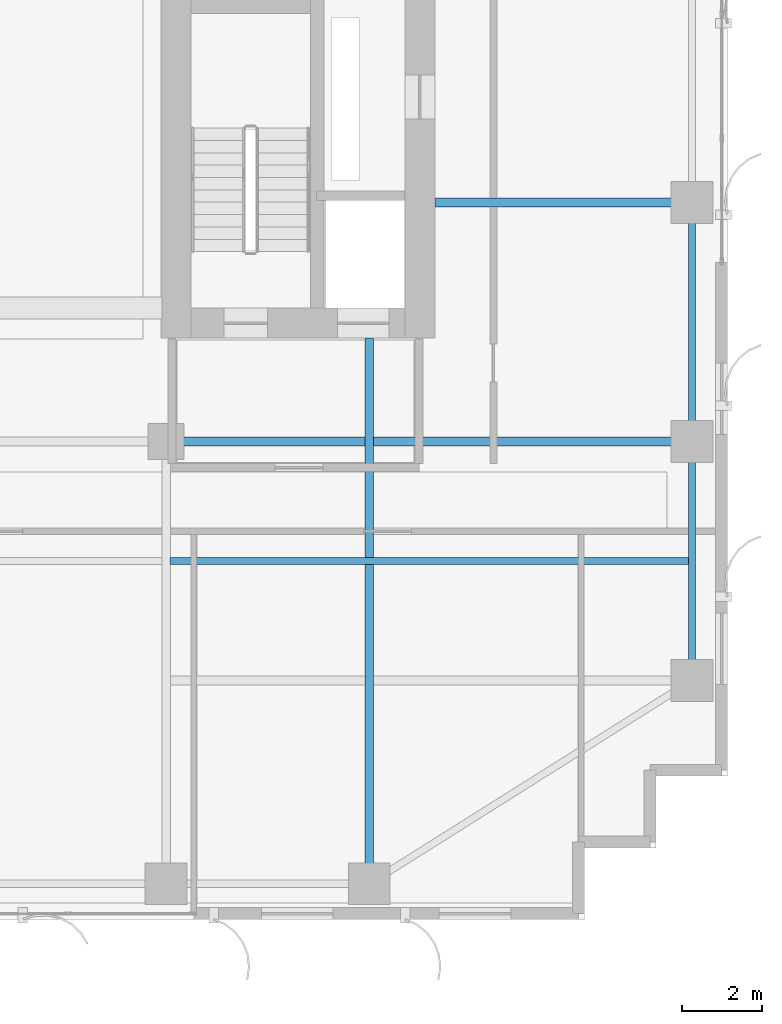
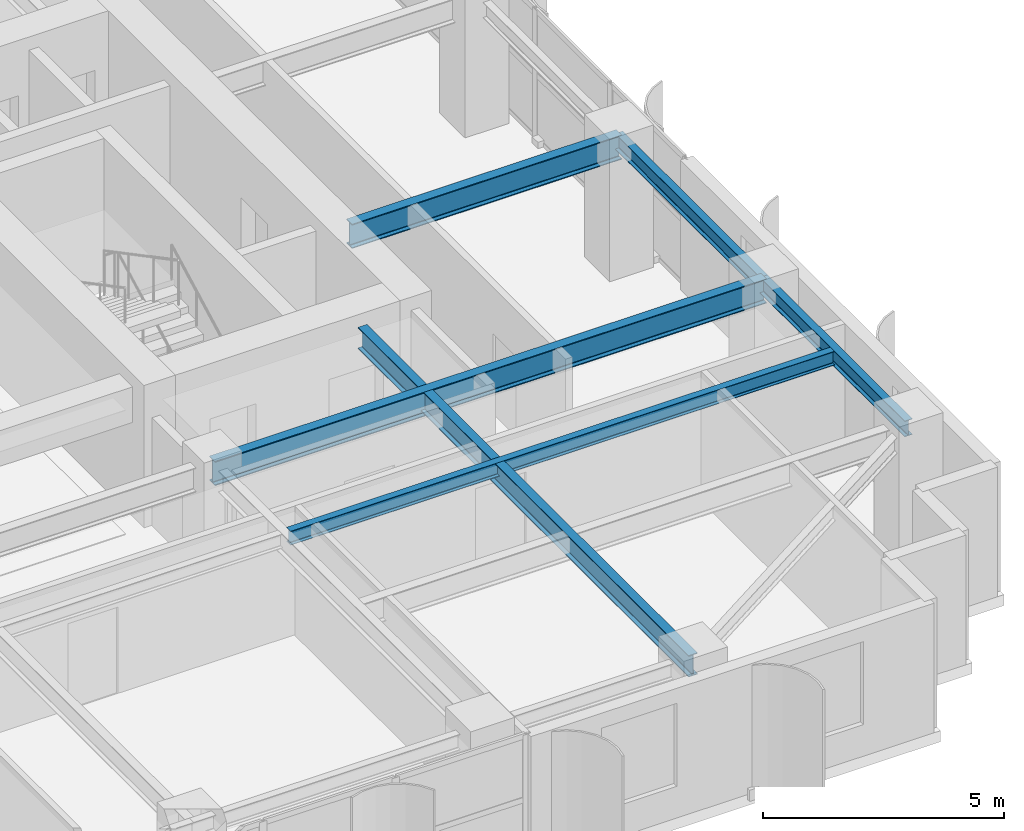
# One storey, part 10 of 28: 6 beams.
"""IFC4 building model written with IfcOpenShell, lengths in metres."""

import ifcopenshell
import ifcopenshell.guid

model = None  # the IFC model being written
_history = None  # IfcOwnerHistory: only IFC2X3 demands one
_inside = {}  # id of a spatial element -> (the spatial element, [elements in it])
_under = {}  # id of a project, library or spatial element -> (it, [spatial elements below it])
_declared = {}  # id of a project -> (the project, [libraries it declares])
_typed = {}  # id of a type object -> (the type object, [elements of that type])
_made_of = {}  # id of a material, layer set ... -> (it, [elements and type objects made of it])


def new_model(schema):
    """Start an empty IFC model of exactly this schema.

    Asked for "IFC4X3", IfcOpenShell would pick the latest addendum, in which some entities
    have other attributes; the version numbers below select the first issue.
    IFC2X3 requires an IfcOwnerHistory on every rooted entity: one is made here for all.
    """
    global model, _history
    if schema == "IFC4X3":
        model = ifcopenshell.file(schema_version=(4, 3, 0, 0))
    else:
        model = ifcopenshell.file(schema=schema)
    _inside.clear()
    _under.clear()
    _declared.clear()
    _typed.clear()
    _made_of.clear()
    _history = None
    if model.schema == "IFC2X3":
        org = make("IfcOrganization", Name="unknown")
        user = make(
            "IfcPersonAndOrganization",
            ThePerson=make("IfcPerson", FamilyName="unknown"),
            TheOrganization=org,
        )
        app = make(
            "IfcApplication",
            ApplicationDeveloper=org,
            Version="unknown",
            ApplicationFullName="unknown",
            ApplicationIdentifier="unknown",
        )
        _history = make(
            "IfcOwnerHistory",
            OwningUser=user,
            OwningApplication=app,
            ChangeAction="ADDED",
            CreationDate=0,
        )
    return model


def make(cls, **values):
    """One entity of the class cls with the attributes given. An attribute that is None is left unset."""
    return model.create_entity(
        cls, **{name: value for name, value in values.items() if value is not None}
    )


def rooted(cls, **values):
    """An entity with a GlobalId (a new one), such as an element, a storey or a relation."""
    return make(cls, GlobalId=ifcopenshell.guid.new(), OwnerHistory=_history, **values)


def si_unit(unit_type, name, prefix=None):
    """IfcSIUnit, for example si_unit("LENGTHUNIT", "METRE", prefix="MILLI")."""
    return make("IfcSIUnit", UnitType=unit_type, Prefix=prefix, Name=name)


def assignment(units):
    """IfcUnitAssignment: the units of a project."""
    return None if units is None else make("IfcUnitAssignment", Units=units)


def point(xyz):
    """IfcCartesianPoint."""
    return None if xyz is None else make("IfcCartesianPoint", Coordinates=xyz)


def direction(xyz):
    """IfcDirection."""
    return None if xyz is None else make("IfcDirection", DirectionRatios=xyz)


def frame(location, z_axis=None, x_axis=None):
    """IfcAxis2Placement3D, a coordinate frame: its origin and axes. An axis left out is left unset."""
    return make(
        "IfcAxis2Placement3D",
        Location=point(location),
        Axis=direction(z_axis),
        RefDirection=direction(x_axis),
    )


def frame_2d(location, x_axis=None):
    """IfcAxis2Placement2D, a coordinate frame in the plane: its origin and x axis."""
    return make(
        "IfcAxis2Placement2D", Location=point(location), RefDirection=direction(x_axis)
    )


def origin():
    """The frame at (0, 0, 0) with its axes left unset."""
    return frame((0.0, 0.0, 0.0))


def origin_2d():
    """The frame at (0, 0) in the plane with its x axis left unset."""
    return frame_2d((0.0, 0.0))


def place(relative_to, where):
    """IfcLocalPlacement: puts the frame where relative to a parent placement (None: the world)."""
    return make(
        "IfcLocalPlacement", PlacementRelTo=relative_to, RelativePlacement=where
    )


def context(
    kind, dimensions, precision=None, world=None, true_north=None, identifier=None
):
    """IfcGeometricRepresentationContext, for example the 3D "Model" context."""
    return make(
        "IfcGeometricRepresentationContext",
        ContextIdentifier=identifier,
        ContextType=kind,
        CoordinateSpaceDimension=dimensions,
        Precision=precision,
        WorldCoordinateSystem=world,
        TrueNorth=true_north,
    )


def subcontext(parent, identifier, kind, view, scale=None):
    """IfcGeometricRepresentationSubContext, for example "Body" below "Model"."""
    return make(
        "IfcGeometricRepresentationSubContext",
        ContextIdentifier=identifier,
        ContextType=kind,
        ParentContext=parent,
        TargetScale=scale,
        TargetView=view,
    )


def project(units=None, contexts=None):
    """IfcProject with its units and contexts."""
    return rooted(
        "IfcProject",
        Name="project",
        RepresentationContexts=contexts,
        UnitsInContext=assignment(units),
    )


def spatial(cls, under=None, at=None, **own):
    """A site, building, storey or space (cls), placed at a placement, below another one or the project."""
    s = rooted(cls, ObjectPlacement=at, **own)
    if under is not None:
        _under.setdefault(under.id(), (under, []))[1].append(s)
    return s


def profile(cls, at=None, kind="AREA", **sizes):
    """A parametric profile (cls). Its sizes go by their IFC names, for example OverallWidth=200.0."""
    return make(cls, ProfileType=kind, Position=at, **sizes)


def i_section(**sizes):
    """IfcIShapeProfileDef."""
    return profile("IfcIShapeProfileDef", **sizes)


def extrude(swept, where, along, depth):
    """IfcExtrudedAreaSolid: the profile swept, set in the frame where, extruded along a direction by depth."""
    return make(
        "IfcExtrudedAreaSolid",
        SweptArea=swept,
        Position=where,
        ExtrudedDirection=direction(along),
        Depth=depth,
    )


def shape(context_of_items, identifier, shape_type, items):
    """IfcShapeRepresentation: the items that make up one representation, for example the "Body"."""
    return make(
        "IfcShapeRepresentation",
        ContextOfItems=context_of_items,
        RepresentationIdentifier=identifier,
        RepresentationType=shape_type,
        Items=items,
    )


def source(mapping_origin, context_of_items, identifier, shape_type, items):
    """IfcRepresentationMap: a shape defined once, which mapped items show again and again."""
    return make(
        "IfcRepresentationMap",
        MappingOrigin=mapping_origin,
        MappedRepresentation=shape(context_of_items, identifier, shape_type, items),
    )


def transform(
    local_origin,
    x_axis=None,
    y_axis=None,
    z_axis=None,
    scale=None,
    scale2=None,
    scale3=None,
    uniform=True,
):
    """IfcCartesianTransformationOperator3D, or its non-uniform kind. x_axis, y_axis, z_axis: its Axis1, 2, 3."""
    if uniform:
        return make(
            "IfcCartesianTransformationOperator3D",
            Axis1=direction(x_axis),
            Axis2=direction(y_axis),
            LocalOrigin=point(local_origin),
            Scale=scale,
            Axis3=direction(z_axis),
        )
    return make(
        "IfcCartesianTransformationOperator3DnonUniform",
        Axis1=direction(x_axis),
        Axis2=direction(y_axis),
        LocalOrigin=point(local_origin),
        Scale=scale,
        Axis3=direction(z_axis),
        Scale2=scale2,
        Scale3=scale3,
    )


def mapped(mapping_source, mapping_target):
    """IfcMappedItem: shows the shape of a source again, moved by a transform."""
    return make(
        "IfcMappedItem", MappingSource=mapping_source, MappingTarget=mapping_target
    )


def material(Name=None, Category=None):
    """IfcMaterial."""
    return make("IfcMaterial", Name=Name, Category=Category)


def material_profile(
    of_material, cross_section, Name=None, Category=None, Priority=None
):
    """IfcMaterialProfile: a cross section and its material."""
    return make(
        "IfcMaterialProfile",
        Name=Name,
        Material=of_material,
        Profile=cross_section,
        Priority=Priority,
        Category=Category,
    )


def profile_set(profiles, Name=None, composite=None):
    """IfcMaterialProfileSet."""
    return make(
        "IfcMaterialProfileSet",
        Name=Name,
        MaterialProfiles=profiles,
        CompositeProfile=composite,
    )


def made_of(thing, what):
    """Note that an element or type object is made of a material, layer set ...; save() writes the relation."""
    if what is not None:
        _made_of.setdefault(what.id(), (what, []))[1].append(thing)
    return thing


def type_object(cls, material=None, **own):
    """A type object (cls), such as IfcWallType, which elements share."""
    return made_of(rooted(cls, **own), material)


def element(
    cls,
    number,
    at=None,
    inside=None,
    cuts=None,
    type_object=None,
    material=None,
    context=None,
    identifier="Body",
    shape_type=None,
    held_by="IfcProductDefinitionShape",
    body=None,
    shapes=None,
    **own,
):
    """One element of the class cls, such as IfcWall. Its Tag is "e" and its number.

    at: its placement. inside: the storey or other place that contains it. cuts: it is an
    opening in that element (IfcRelVoidsElement). A single representation is given by context,
    identifier, shape_type and body (its items); several are given by shapes. held_by: the class
    of the entity that holds the representations. save() writes the other relations.
    """
    e = rooted(cls, Tag="e%d" % number, ObjectPlacement=at, **own)
    if body is not None:
        shapes = [shape(context, identifier, shape_type, body)]
    if shapes is not None:
        e.Representation = make(held_by, Representations=shapes)
    if inside is not None:
        _inside.setdefault(inside.id(), (inside, []))[1].append(e)
    if cuts is not None:
        rooted(
            "IfcRelVoidsElement", RelatingBuildingElement=cuts, RelatedOpeningElement=e
        )
    if type_object is not None:
        _typed.setdefault(type_object.id(), (type_object, []))[1].append(e)
    return made_of(e, material)


def aggregate(whole, parts):
    """IfcRelAggregates: a whole, such as a stair, and the parts it consists of."""
    return rooted("IfcRelAggregates", RelatingObject=whole, RelatedObjects=parts)


def save(model, path):
    """Write the relations noted so far, then the file.

    IfcRelAggregates (storeys below a building ...), IfcRelContainedInSpatialStructure (elements
    in a storey), IfcRelDefinesByType, IfcRelAssociatesMaterial and IfcRelDeclares: one each for
    every whole, place, type object, material and project.
    """
    for whole, parts in _under.values():
        aggregate(whole, parts)
    for where, things in _inside.values():
        rooted(
            "IfcRelContainedInSpatialStructure",
            RelatedElements=things,
            RelatingStructure=where,
        )
    for kind, things in _typed.values():
        rooted("IfcRelDefinesByType", RelatedObjects=things, RelatingType=kind)
    for what, things in _made_of.values():
        rooted("IfcRelAssociatesMaterial", RelatedObjects=things, RelatingMaterial=what)
    for by, libraries in _declared.values():
        rooted("IfcRelDeclares", RelatingContext=by, RelatedDefinitions=libraries)
    model.write(path)


model = new_model("IFC4")

# Units and contexts
model_context = context("Model", 3, precision=1e-05, world=origin(), true_north=direction((0.0, 1.0)))
body_context = subcontext(model_context, "Body", "Model", "MODEL_VIEW")
ifc_project = project(units=[si_unit("LENGTHUNIT", "METRE"), si_unit("AREAUNIT", "SQUARE_METRE"), si_unit("VOLUMEUNIT", "CUBIC_METRE"), si_unit("PLANEANGLEUNIT", "RADIAN"), si_unit("MASSUNIT", "GRAM", prefix="KILO")], contexts=[model_context])

# Site, building, storey
site_placement = place(None, origin())
site = spatial("IfcSite", under=ifc_project, at=site_placement, CompositionType="ELEMENT")
building_placement = place(site_placement, origin())
building = spatial("IfcBuilding", under=site, at=building_placement, Name="Khoralis Quay Care Tower", CompositionType="ELEMENT")
storey_placement = place(building_placement, frame((0.0, 0.0, 144.89990234375)))
storey = spatial("IfcBuildingStorey", under=building, at=storey_placement, Name="L38", CompositionType="ELEMENT", Elevation=144.89990234375)

# Beams
ifc_material = material(Name="Steel S355", Category="steel")
ifc_material_profile_1 = material_profile(ifc_material, i_section(OverallWidth=0.179931640625, OverallDepth=0.39990234375, WebThickness=0.008544921875, FlangeThickness=0.013427734375, FilletRadius=0.02099609375, at=origin_2d()), Name="Steel S355")
ifc_profile_set_1 = profile_set([ifc_material_profile_1], Name="Steel S355")
beam_type_1 = type_object("IfcBeamType", Name="BM-IPE400", PredefinedType="SPANDREL", material=ifc_profile_set_1)
shared_shape_1 = source(origin(), body_context, "Body", "SweptSolid", [
    extrude(i_section(OverallWidth=0.179931640625, OverallDepth=0.39990234375, WebThickness=0.008544921875, FlangeThickness=0.013427734375, FilletRadius=0.02099609375, at=origin_2d()), origin(), (0.0, 0.0, 1.0), 6.0),
])
for number, where, z_axis, x_axis, name in (
    (1, (44.10009765625, 6.0, 3.080078125), (0.0, 1.0, 0.0), (-1.0, 0.0, 0.0), "BM-TSP-L38-16"),
    (2, (44.10009765625, 12.0, 3.080078125), (0.0, 1.0, 0.0), (-1.0, 0.0, 0.0), "BM-TSP-L38-17"),
):
    element("IfcBeam", number, at=place(storey_placement, frame(where, z_axis=z_axis, x_axis=x_axis)), inside=storey, type_object=beam_type_1, Name=name, PredefinedType="SPANDREL", context=body_context, shape_type="MappedRepresentation", body=[
        mapped(shared_shape_1, transform((0.0, 0.0, 0.0), scale=1.0)),
    ])
ifc_material_profile_2 = material_profile(ifc_material, i_section(OverallWidth=0.22998046875, OverallDepth=0.616943359375, WebThickness=0.01318359375, FlangeThickness=0.022216796875, FilletRadius=0.01806640625, at=origin_2d()), Name="Steel S355")
ifc_profile_set_2 = profile_set([ifc_material_profile_2], Name="Steel S355")
beam_type_2 = type_object("IfcBeamType", Name="BM-W610X140", PredefinedType="BEAM", material=ifc_profile_set_2)
shared_shape_2 = source(origin(), body_context, "Body", "SweptSolid", [
    extrude(i_section(OverallWidth=0.22998046875, OverallDepth=0.616943359375, WebThickness=0.01318359375, FlangeThickness=0.022216796875, FilletRadius=0.01806640625, at=origin_2d()), origin(), (0.0, 0.0, 1.0), 13.2001953125),
])
beam_1_placement = place(storey_placement, frame((30.89990234375, 12.0, 2.9716796875), z_axis=(1.0, 0.0, 0.0), x_axis=(0.0, 1.0, 0.0)))
element("IfcBeam", 3, at=beam_1_placement, inside=storey, type_object=beam_type_2, Name="BM-TGXE-L38-120", PredefinedType="BEAM", context=body_context, shape_type="MappedRepresentation", body=[
    mapped(shared_shape_2, transform((0.0, 0.0, 0.0), scale=1.0)),
])
shared_shape_3 = source(origin(), body_context, "Body", "SweptSolid", [
    extrude(i_section(OverallWidth=0.22998046875, OverallDepth=0.616943359375, WebThickness=0.01318359375, FlangeThickness=0.022216796875, FilletRadius=0.01806640625, at=origin_2d()), origin(), (0.0, 0.0, 1.0), 6.4521484375),
])
beam_2_placement = place(storey_placement, frame((37.64794921875, 18.0, 2.9716796875), z_axis=(1.0, 0.0, 0.0), x_axis=(0.0, 1.0, 0.0)))
element("IfcBeam", 4, at=beam_2_placement, inside=storey, type_object=beam_type_2, Name="BM-TGXE-L38-180", PredefinedType="BEAM", context=body_context, shape_type="MappedRepresentation", body=[
    mapped(shared_shape_3, transform((0.0, 0.0, 0.0), scale=1.0)),
])
ifc_material_profile_3 = material_profile(ifc_material, i_section(OverallWidth=0.2119140625, OverallDepth=0.5439453125, WebThickness=0.01318359375, FlangeThickness=0.021240234375, FilletRadius=0.01611328125, at=origin_2d()), Name="Steel S355")
ifc_profile_set_3 = profile_set([ifc_material_profile_3], Name="Steel S355")
beam_type_3 = type_object("IfcBeamType", Name="BM-W530X123", PredefinedType="BEAM", material=ifc_profile_set_3)
shared_shape_4 = source(origin(), body_context, "Body", "SweptSolid", [
    extrude(i_section(OverallWidth=0.2119140625, OverallDepth=0.5439453125, WebThickness=0.01318359375, FlangeThickness=0.021240234375, FilletRadius=0.01611328125, at=origin_2d()), origin(), (0.0, 0.0, 1.0), 13.7021484375),
])
beam_3_placement = place(storey_placement, frame((36.0, 0.89990234375, 3.008056640625), z_axis=(0.0, 1.0, 0.0), x_axis=(-1.0, 0.0, 0.0)))
element("IfcBeam", 5, at=beam_3_placement, inside=storey, type_object=beam_type_3, Name="BM-TGYS-L38-360", PredefinedType="BEAM", context=body_context, shape_type="MappedRepresentation", body=[
    mapped(shared_shape_4, transform((0.0, 0.0, 0.0), scale=1.0)),
])
ifc_material_profile_4 = material_profile(ifc_material, i_section(OverallWidth=0.1708984375, OverallDepth=0.35498046875, WebThickness=0.007080078125, FlangeThickness=0.01171875, FilletRadius=0.012939453125, at=origin_2d()), Name="Steel S355")
ifc_profile_set_4 = profile_set([ifc_material_profile_4], Name="Steel S355")
beam_type_4 = type_object("IfcBeamType", Name="BM-W360X51", PredefinedType="JOIST", material=ifc_profile_set_4)
shared_shape_5 = source(origin(), body_context, "Body", "SweptSolid", [
    extrude(i_section(OverallWidth=0.1708984375, OverallDepth=0.35498046875, WebThickness=0.007080078125, FlangeThickness=0.01171875, FilletRadius=0.012939453125, at=origin_2d()), origin(), (0.0, 0.0, 1.0), 13.030029296875),
])
beam_4_placement = place(storey_placement, frame((30.993896484375, 9.0, 3.1025390625), z_axis=(1.0, 0.0, 0.0), x_axis=(0.0, 1.0, 0.0)))
element("IfcBeam", 6, at=beam_4_placement, inside=storey, type_object=beam_type_4, Name="BM-TJS-L38-26", PredefinedType="JOIST", context=body_context, shape_type="MappedRepresentation", body=[
    mapped(shared_shape_5, transform((0.0, 0.0, 0.0), scale=1.0)),
])

save(model, "model.ifc")
